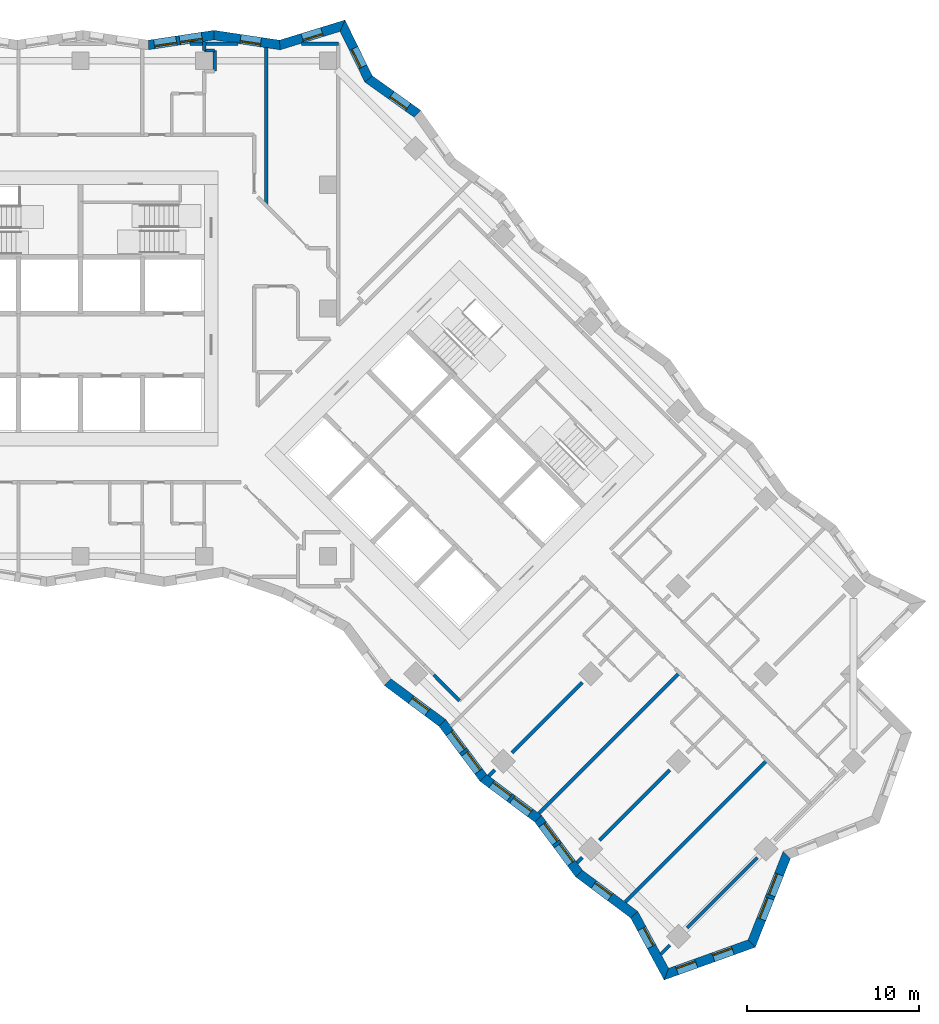
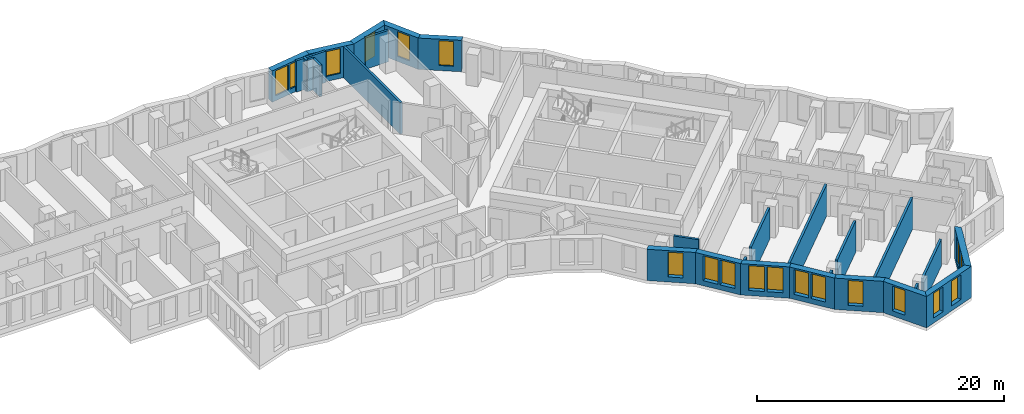
# One storey, part 8 of 13: 28 walls, 19 windows, 19 openings.
"""IFC4 building model written with IfcOpenShell, lengths in metres."""

from ifc_helpers import new_model, si_unit, direction, frame, frame_2d, origin, place, context, subcontext, project, spatial, polyline, rectangle, outline, extrude, material, layer, layer_set, type_object, element, fill, save


model = new_model("IFC4")

# Units and contexts
model_context = context("Model", 3, precision=1e-05, world=origin(), true_north=direction((0.0, 1.0)))
body_context = subcontext(model_context, "Body", "Model", "MODEL_VIEW")
ifc_project = project(units=[si_unit("LENGTHUNIT", "METRE"), si_unit("AREAUNIT", "SQUARE_METRE"), si_unit("VOLUMEUNIT", "CUBIC_METRE"), si_unit("PLANEANGLEUNIT", "RADIAN"), si_unit("MASSUNIT", "GRAM", prefix="KILO")], contexts=[model_context])

# Site, building, storey
site_placement = place(None, origin())
site = spatial("IfcSite", under=ifc_project, at=site_placement, CompositionType="ELEMENT")
building_placement = place(site_placement, origin())
building = spatial("IfcBuilding", under=site, at=building_placement, Name="Windrow Commons", CompositionType="ELEMENT")
storey_placement = place(building_placement, frame((0.0, 0.0, 111.8)))
storey = spatial("IfcBuildingStorey", under=building, at=storey_placement, Name="L30", CompositionType="ELEMENT", Elevation=111.8)

# Wall, openings, windows
ifc_material_1 = material(Name="Brick masonry, red clay brick", Category="masonry")
ifc_layer_1 = layer(ifc_material_1, 0.55)
ifc_layer_set_1 = layer_set([ifc_layer_1], Name="Brick facade wall 550")
wall_type_1 = type_object("IfcWallType", Name="Brick facade wall 550", PredefinedType="SOLIDWALL", material=ifc_layer_set_1)
wall_1_placement = place(storey_placement, frame((98.8654, 18.9013, 0.0), z_axis=(0.0, 0.0, 1.0), x_axis=(0.9410672608, 0.3382194711, 0.0)))
wall_1 = element("IfcWall", 1, at=wall_1_placement, inside=storey, type_object=wall_type_1, Name="Brick facade wall L30 1", PredefinedType="SOLIDWALL", context=body_context, shape_type="SweptSolid", body=[
    extrude(outline(polyline([(-0.2363, -0.275), (5.3938, -0.275), (5.1455, 0.275), (0.2363, 0.275), (-0.2363, -0.275)])), origin(), (0.0, 0.0, 1.0), 3.1),
])
opening_1_placement = place(wall_1_placement, frame((0.6461, 0.0, 0.5)))
opening_1 = element("IfcOpeningElement", 2, at=opening_1_placement, cuts=wall_1, Name="Opening W7D", PredefinedType="OPENING", context=body_context, shape_type="SweptSolid", body=[
    extrude(rectangle(XDim=1.2, YDim=2.45, at=frame_2d((0.6, 1.225))), frame((0.0, 0.285, 0.0), z_axis=(0.0, -1.0, 0.0), x_axis=(1.0, 0.0, 0.0)), (0.0, 0.0, 1.0), 0.57),
])
opening_2_placement = place(wall_1_placement, frame((2.9007, 0.0, 0.5)))
opening_2 = element("IfcOpeningElement", 3, at=opening_2_placement, cuts=wall_1, Name="Opening W7D", PredefinedType="OPENING", context=body_context, shape_type="SweptSolid", body=[
    extrude(rectangle(XDim=1.2, YDim=2.45, at=frame_2d((0.6, 1.225))), frame((0.0, 0.285, 0.0), z_axis=(0.0, -1.0, 0.0), x_axis=(1.0, 0.0, 0.0)), (0.0, 0.0, 1.0), 0.57),
])
ifc_material_2 = material(Name="Clear float glass in anodised aluminium frame", Category="aluminium")
window_type_1 = type_object("IfcWindowType", Name="Window W7 notch 1200x2450", PartitioningType="SINGLE_PANEL", PredefinedType="WINDOW", material=ifc_material_2)
window_1_placement = place(opening_1_placement, origin())
window_1 = element("IfcWindow", 4, at=window_1_placement, inside=storey, type_object=window_type_1, Name="Window L30 1.1", OverallHeight=2.45, OverallWidth=1.2, PartitioningType="SINGLE_PANEL", PredefinedType="WINDOW", context=body_context, shape_type="SweptSolid", body=[
    extrude(rectangle(XDim=1.2, YDim=2.45, at=frame_2d((0.6, 1.225))), frame((0.0, 0.155, 0.0), z_axis=(0.0, -1.0, 0.0), x_axis=(1.0, 0.0, 0.0)), (0.0, 0.0, 1.0), 0.06),
])
fill(opening_1, window_1)
window_2_placement = place(opening_2_placement, origin())
window_2 = element("IfcWindow", 5, at=window_2_placement, inside=storey, type_object=window_type_1, Name="Window L30 1.2", OverallHeight=2.45, OverallWidth=1.2, PartitioningType="SINGLE_PANEL", PredefinedType="WINDOW", context=body_context, shape_type="SweptSolid", body=[
    extrude(rectangle(XDim=1.2, YDim=2.45, at=frame_2d((0.6, 1.225))), frame((0.0, 0.155, 0.0), z_axis=(0.0, -1.0, 0.0), x_axis=(1.0, 0.0, 0.0)), (0.0, 0.0, 1.0), 0.06),
])
fill(opening_2, window_2)

wall_2_placement = place(storey_placement, frame((103.8245, 20.6836, 0.0), z_axis=(0.0, 0.0, 1.0), x_axis=(0.3687200705, 0.929540483, 0.0)))
wall_2 = element("IfcWall", 6, at=wall_2_placement, inside=storey, type_object=wall_type_1, Name="Brick facade wall L30 2", PredefinedType="SOLIDWALL", context=body_context, shape_type="SweptSolid", body=[
    extrude(outline(polyline([(-0.1242, -0.275), (5.4237, -0.275), (5.6613, 0.275), (0.1242, 0.275), (-0.1242, -0.275)])), origin(), (0.0, 0.0, 1.0), 3.1),
])
opening_3_placement = place(wall_2_placement, frame((1.5223, 0.0, 0.5)))
opening_3 = element("IfcOpeningElement", 7, at=opening_3_placement, cuts=wall_2, Name="Opening W1P", PredefinedType="OPENING", context=body_context, shape_type="SweptSolid", body=[
    extrude(rectangle(XDim=1.3, YDim=2.45, at=frame_2d((0.65, 1.225))), frame((0.0, 0.285, 0.0), z_axis=(0.0, -1.0, 0.0), x_axis=(1.0, 0.0, 0.0)), (0.0, 0.0, 1.0), 0.57),
])
opening_4_placement = place(wall_2_placement, frame((3.0223, 0.0, 0.5)))
opening_4 = element("IfcOpeningElement", 8, at=opening_4_placement, cuts=wall_2, Name="Opening W1P", PredefinedType="OPENING", context=body_context, shape_type="SweptSolid", body=[
    extrude(rectangle(XDim=1.3, YDim=2.45, at=frame_2d((0.65, 1.225))), frame((0.0, 0.285, 0.0), z_axis=(0.0, -1.0, 0.0), x_axis=(1.0, 0.0, 0.0)), (0.0, 0.0, 1.0), 0.57),
])
ifc_material_3 = material(Name="Clear float glass in anodised aluminium frame", Category="aluminium")
window_type_2 = type_object("IfcWindowType", Name="Window W1P pair 1300x2450", PartitioningType="SINGLE_PANEL", PredefinedType="WINDOW", material=ifc_material_3)
window_3_placement = place(opening_3_placement, origin())
window_3 = element("IfcWindow", 9, at=window_3_placement, inside=storey, type_object=window_type_2, Name="Window L30 2.1A", OverallHeight=2.45, OverallWidth=1.3, PartitioningType="SINGLE_PANEL", PredefinedType="WINDOW", context=body_context, shape_type="SweptSolid", body=[
    extrude(rectangle(XDim=1.3, YDim=2.45, at=frame_2d((0.65, 1.225))), frame((0.0, 0.155, 0.0), z_axis=(0.0, -1.0, 0.0), x_axis=(1.0, 0.0, 0.0)), (0.0, 0.0, 1.0), 0.06),
])
fill(opening_3, window_3)
window_4_placement = place(opening_4_placement, origin())
window_4 = element("IfcWindow", 10, at=window_4_placement, inside=storey, type_object=window_type_2, Name="Window L30 2.1B", OverallHeight=2.45, OverallWidth=1.3, PartitioningType="SINGLE_PANEL", PredefinedType="WINDOW", context=body_context, shape_type="SweptSolid", body=[
    extrude(rectangle(XDim=1.3, YDim=2.45, at=frame_2d((0.65, 1.225))), frame((0.0, 0.155, 0.0), z_axis=(0.0, -1.0, 0.0), x_axis=(1.0, 0.0, 0.0)), (0.0, 0.0, 1.0), 0.06),
])
fill(opening_4, window_4)

# Wall, opening, window
wall_3_placement = place(storey_placement, frame((84.3879, 68.9238, 0.0), z_axis=(0.0, 0.0, 1.0), x_axis=(-0.8142489759, 0.5805158096, 0.0)))
wall_3 = element("IfcWall", 11, at=wall_3_placement, inside=storey, type_object=wall_type_1, Name="Brick facade wall L30 19", PredefinedType="SOLIDWALL", context=body_context, shape_type="SweptSolid", body=[
    extrude(outline(polyline([(-0.0461, -0.275), (3.4145, -0.275), (3.5541, 0.275), (0.0461, 0.275), (-0.0461, -0.275)])), origin(), (0.0, 0.0, 1.0), 3.1),
])
opening_5_placement = place(wall_3_placement, frame((0.6605, 0.0, 0.5)))
opening_5 = element("IfcOpeningElement", 12, at=opening_5_placement, cuts=wall_3, Name="Opening W7D", PredefinedType="OPENING", context=body_context, shape_type="SweptSolid", body=[
    extrude(rectangle(XDim=1.2, YDim=2.45, at=frame_2d((0.6, 1.225))), frame((0.0, 0.285, 0.0), z_axis=(0.0, -1.0, 0.0), x_axis=(1.0, 0.0, 0.0)), (0.0, 0.0, 1.0), 0.57),
])
window_5_placement = place(opening_5_placement, origin())
window_5 = element("IfcWindow", 13, at=window_5_placement, inside=storey, type_object=window_type_1, Name="Window L30 19.1", OverallHeight=2.45, OverallWidth=1.2, PartitioningType="SINGLE_PANEL", PredefinedType="WINDOW", context=body_context, shape_type="SweptSolid", body=[
    extrude(rectangle(XDim=1.2, YDim=2.45, at=frame_2d((0.6, 1.225))), frame((0.0, 0.155, 0.0), z_axis=(0.0, -1.0, 0.0), x_axis=(1.0, 0.0, 0.0)), (0.0, 0.0, 1.0), 0.06),
])
fill(opening_5, window_5)

wall_4_placement = place(storey_placement, frame((81.5508, 70.9465, 0.0), z_axis=(0.0, 0.0, 1.0), x_axis=(-0.4391450206, 0.8984161902, 0.0)))
wall_4 = element("IfcWall", 14, at=wall_4_placement, inside=storey, type_object=wall_type_1, Name="Brick facade wall L30 20", PredefinedType="SOLIDWALL", context=body_context, shape_type="SweptSolid", body=[
    extrude(outline(polyline([(0.0698, -0.275), (3.6784, -0.275), (3.2082, 0.275), (-0.0698, 0.275), (0.0698, -0.275)])), origin(), (0.0, 0.0, 1.0), 3.1),
])
opening_6_placement = place(wall_4_placement, frame((0.7726, 0.0, 0.5)))
opening_6 = element("IfcOpeningElement", 15, at=opening_6_placement, cuts=wall_4, Name="Opening W7D", PredefinedType="OPENING", context=body_context, shape_type="SweptSolid", body=[
    extrude(rectangle(XDim=1.2, YDim=2.45, at=frame_2d((0.6, 1.225))), frame((0.0, 0.285, 0.0), z_axis=(0.0, -1.0, 0.0), x_axis=(1.0, 0.0, 0.0)), (0.0, 0.0, 1.0), 0.57),
])
window_6_placement = place(opening_6_placement, origin())
window_6 = element("IfcWindow", 16, at=window_6_placement, inside=storey, type_object=window_type_1, Name="Window L30 20.1", OverallHeight=2.45, OverallWidth=1.2, PartitioningType="SINGLE_PANEL", PredefinedType="WINDOW", context=body_context, shape_type="SweptSolid", body=[
    extrude(rectangle(XDim=1.2, YDim=2.45, at=frame_2d((0.6, 1.225))), frame((0.0, 0.155, 0.0), z_axis=(0.0, -1.0, 0.0), x_axis=(1.0, 0.0, 0.0)), (0.0, 0.0, 1.0), 0.06),
])
fill(opening_6, window_6)

wall_5_placement = place(storey_placement, frame((80.0387, 74.04, 0.0), z_axis=(0.0, 0.0, 1.0), x_axis=(-0.9557971513, -0.294026879, 0.0)))
wall_5 = element("IfcWall", 17, at=wall_5_placement, inside=storey, type_object=wall_type_1, Name="Brick facade wall L30 21", PredefinedType="SOLIDWALL", context=body_context, shape_type="SweptSolid", body=[
    extrude(outline(polyline([(-0.2351, -0.275), (3.7508, -0.275), (3.8759, 0.275), (0.2351, 0.275), (-0.2351, -0.275)])), origin(), (0.0, 0.0, 1.0), 3.1),
])
opening_7_placement = place(wall_5_placement, frame((1.2454, 0.0, 0.5)))
opening_7 = element("IfcOpeningElement", 18, at=opening_7_placement, cuts=wall_5, Name="Opening W7D", PredefinedType="OPENING", context=body_context, shape_type="SweptSolid", body=[
    extrude(rectangle(XDim=1.2, YDim=2.45, at=frame_2d((0.6, 1.225))), frame((0.0, 0.285, 0.0), z_axis=(0.0, -1.0, 0.0), x_axis=(1.0, 0.0, 0.0)), (0.0, 0.0, 1.0), 0.57),
])
window_7_placement = place(opening_7_placement, origin())
window_7 = element("IfcWindow", 19, at=window_7_placement, inside=storey, type_object=window_type_1, Name="Window L30 21.1", OverallHeight=2.45, OverallWidth=1.2, PartitioningType="SINGLE_PANEL", PredefinedType="WINDOW", context=body_context, shape_type="SweptSolid", body=[
    extrude(rectangle(XDim=1.2, YDim=2.45, at=frame_2d((0.6, 1.225))), frame((0.0, 0.155, 0.0), z_axis=(0.0, -1.0, 0.0), x_axis=(1.0, 0.0, 0.0)), (0.0, 0.0, 1.0), 0.06),
])
fill(opening_7, window_7)

wall_6_placement = place(storey_placement, frame((76.394, 72.9188, 0.0), z_axis=(0.0, 0.0, 1.0), x_axis=(-0.9889181677, 0.1484616368, 0.0)))
wall_6 = element("IfcWall", 20, at=wall_6_placement, inside=storey, type_object=wall_type_1, Name="Brick facade wall L30 22", PredefinedType="SOLIDWALL", context=body_context, shape_type="SweptSolid", body=[
    extrude(outline(polyline([(0.0626, -0.275), (3.9149, -0.275), (3.8324, 0.275), (-0.0626, 0.275), (0.0626, -0.275)])), origin(), (0.0, 0.0, 1.0), 3.1),
])
opening_8_placement = place(wall_6_placement, frame((1.1176, 0.0, 0.5)))
opening_8 = element("IfcOpeningElement", 21, at=opening_8_placement, cuts=wall_6, Name="Opening W7D", PredefinedType="OPENING", context=body_context, shape_type="SweptSolid", body=[
    extrude(rectangle(XDim=1.2, YDim=2.45, at=frame_2d((0.6, 1.225))), frame((0.0, 0.285, 0.0), z_axis=(0.0, -1.0, 0.0), x_axis=(1.0, 0.0, 0.0)), (0.0, 0.0, 1.0), 0.57),
])
window_8_placement = place(opening_8_placement, origin())
window_8 = element("IfcWindow", 22, at=window_8_placement, inside=storey, type_object=window_type_1, Name="Window L30 22.1", OverallHeight=2.45, OverallWidth=1.2, PartitioningType="SINGLE_PANEL", PredefinedType="WINDOW", context=body_context, shape_type="SweptSolid", body=[
    extrude(rectangle(XDim=1.2, YDim=2.45, at=frame_2d((0.6, 1.225))), frame((0.0, 0.155, 0.0), z_axis=(0.0, -1.0, 0.0), x_axis=(1.0, 0.0, 0.0)), (0.0, 0.0, 1.0), 0.06),
])
fill(opening_8, window_8)

# Wall, openings, windows
wall_7_placement = place(storey_placement, frame((72.5632, 73.4939, 0.0), z_axis=(0.0, 0.0, 1.0), x_axis=(-0.9889150173, -0.1484826202, 0.0)))
wall_7 = element("IfcWall", 23, at=wall_7_placement, inside=storey, type_object=wall_type_1, Name="Brick facade wall L30 23", PredefinedType="SOLIDWALL", context=body_context, shape_type="SweptSolid", body=[
    extrude(outline(polyline([(-0.0413, -0.275), (3.8111, -0.275), (3.8937, 0.275), (0.0413, 0.275), (-0.0413, -0.275)])), origin(), (0.0, 0.0, 1.0), 3.1),
])
opening_9_placement = place(wall_7_placement, frame((0.711, 0.0, 0.5)))
opening_9 = element("IfcOpeningElement", 24, at=opening_9_placement, cuts=wall_7, Name="Opening W1P", PredefinedType="OPENING", context=body_context, shape_type="SweptSolid", body=[
    extrude(rectangle(XDim=1.3, YDim=2.45, at=frame_2d((0.65, 1.225))), frame((0.0, 0.285, 0.0), z_axis=(0.0, -1.0, 0.0), x_axis=(1.0, 0.0, 0.0)), (0.0, 0.0, 1.0), 0.57),
])
opening_10_placement = place(wall_7_placement, frame((2.211, 0.0, 0.5)))
opening_10 = element("IfcOpeningElement", 25, at=opening_10_placement, cuts=wall_7, Name="Opening W1P", PredefinedType="OPENING", context=body_context, shape_type="SweptSolid", body=[
    extrude(rectangle(XDim=1.3, YDim=2.45, at=frame_2d((0.65, 1.225))), frame((0.0, 0.285, 0.0), z_axis=(0.0, -1.0, 0.0), x_axis=(1.0, 0.0, 0.0)), (0.0, 0.0, 1.0), 0.57),
])
window_9_placement = place(opening_9_placement, origin())
window_9 = element("IfcWindow", 26, at=window_9_placement, inside=storey, type_object=window_type_2, Name="Window L30 23.1A", OverallHeight=2.45, OverallWidth=1.3, PartitioningType="SINGLE_PANEL", PredefinedType="WINDOW", context=body_context, shape_type="SweptSolid", body=[
    extrude(rectangle(XDim=1.3, YDim=2.45, at=frame_2d((0.65, 1.225))), frame((0.0, 0.145, 0.0), z_axis=(0.0, -1.0, 0.0), x_axis=(1.0, 0.0, 0.0)), (0.0, 0.0, 1.0), 0.06),
])
fill(opening_9, window_9)
window_10_placement = place(opening_10_placement, origin())
window_10 = element("IfcWindow", 27, at=window_10_placement, inside=storey, type_object=window_type_2, Name="Window L30 23.1B", OverallHeight=2.45, OverallWidth=1.3, PartitioningType="SINGLE_PANEL", PredefinedType="WINDOW", context=body_context, shape_type="SweptSolid", body=[
    extrude(rectangle(XDim=1.3, YDim=2.45, at=frame_2d((0.65, 1.225))), frame((0.0, 0.155, 0.0), z_axis=(0.0, -1.0, 0.0), x_axis=(1.0, 0.0, 0.0)), (0.0, 0.0, 1.0), 0.06),
])
fill(opening_10, window_10)

# Wall, opening, window
wall_8_placement = place(storey_placement, frame((82.6576, 35.8824, 0.0), z_axis=(0.0, 0.0, 1.0), x_axis=(0.8014458841, -0.5980672997, 0.0)))
wall_8 = element("IfcWall", 28, at=wall_8_placement, inside=storey, type_object=wall_type_1, Name="Brick facade wall L30 54", PredefinedType="SOLIDWALL", context=body_context, shape_type="SweptSolid", body=[
    extrude(outline(polyline([(-0.04, -0.275), (3.9374, -0.275), (4.0173, 0.275), (0.04, 0.275), (-0.04, -0.275)])), origin(), (0.0, 0.0, 1.0), 3.1),
])
opening_11_placement = place(wall_8_placement, frame((1.701, 0.0, 0.5)))
opening_11 = element("IfcOpeningElement", 29, at=opening_11_placement, cuts=wall_8, Name="Opening W7D", PredefinedType="OPENING", context=body_context, shape_type="SweptSolid", body=[
    extrude(rectangle(XDim=1.2, YDim=2.45, at=frame_2d((0.6, 1.225))), frame((0.0, 0.285, 0.0), z_axis=(0.0, -1.0, 0.0), x_axis=(1.0, 0.0, 0.0)), (0.0, 0.0, 1.0), 0.57),
])
window_11_placement = place(opening_11_placement, origin())
window_11 = element("IfcWindow", 30, at=window_11_placement, inside=storey, type_object=window_type_1, Name="Window L30 54.1", OverallHeight=2.45, OverallWidth=1.2, PartitioningType="SINGLE_PANEL", PredefinedType="WINDOW", context=body_context, shape_type="SweptSolid", body=[
    extrude(rectangle(XDim=1.2, YDim=2.45, at=frame_2d((0.6, 1.225))), frame((0.0, 0.155, 0.0), z_axis=(0.0, -1.0, 0.0), x_axis=(1.0, 0.0, 0.0)), (0.0, 0.0, 1.0), 0.06),
])
fill(opening_11, window_11)

# Wall, openings, windows
wall_9_placement = place(storey_placement, frame((85.8452, 33.5037, 0.0), z_axis=(0.0, 0.0, 1.0), x_axis=(0.5980713977, -0.801442826, 0.0)))
wall_9 = element("IfcWall", 31, at=wall_9_placement, inside=storey, type_object=wall_type_1, Name="Brick facade wall L30 55", PredefinedType="SOLIDWALL", context=body_context, shape_type="SweptSolid", body=[
    extrude(outline(polyline([(0.04, -0.275), (4.0173, -0.275), (3.9374, 0.275), (-0.04, 0.275), (0.04, -0.275)])), origin(), (0.0, 0.0, 1.0), 3.1),
])
opening_12_placement = place(wall_9_placement, frame((0.7113, 0.0, 0.5)))
opening_12 = element("IfcOpeningElement", 32, at=opening_12_placement, cuts=wall_9, Name="Opening W1P", PredefinedType="OPENING", context=body_context, shape_type="SweptSolid", body=[
    extrude(rectangle(XDim=1.3, YDim=2.45, at=frame_2d((0.65, 1.225))), frame((0.0, 0.285, 0.0), z_axis=(0.0, -1.0, 0.0), x_axis=(1.0, 0.0, 0.0)), (0.0, 0.0, 1.0), 0.57),
])
opening_13_placement = place(wall_9_placement, frame((2.2113, 0.0, 0.5)))
opening_13 = element("IfcOpeningElement", 33, at=opening_13_placement, cuts=wall_9, Name="Opening W1P", PredefinedType="OPENING", context=body_context, shape_type="SweptSolid", body=[
    extrude(rectangle(XDim=1.3, YDim=2.45, at=frame_2d((0.65, 1.225))), frame((0.0, 0.285, 0.0), z_axis=(0.0, -1.0, 0.0), x_axis=(1.0, 0.0, 0.0)), (0.0, 0.0, 1.0), 0.57),
])
window_12_placement = place(opening_12_placement, origin())
window_12 = element("IfcWindow", 34, at=window_12_placement, inside=storey, type_object=window_type_2, Name="Window L30 55.1A", OverallHeight=2.45, OverallWidth=1.3, PartitioningType="SINGLE_PANEL", PredefinedType="WINDOW", context=body_context, shape_type="SweptSolid", body=[
    extrude(rectangle(XDim=1.3, YDim=2.45, at=frame_2d((0.65, 1.225))), frame((0.0, 0.155, 0.0), z_axis=(0.0, -1.0, 0.0), x_axis=(1.0, 0.0, 0.0)), (0.0, 0.0, 1.0), 0.06),
])
fill(opening_12, window_12)
window_13_placement = place(opening_13_placement, origin())
window_13 = element("IfcWindow", 35, at=window_13_placement, inside=storey, type_object=window_type_2, Name="Window L30 55.1B", OverallHeight=2.45, OverallWidth=1.3, PartitioningType="SINGLE_PANEL", PredefinedType="WINDOW", context=body_context, shape_type="SweptSolid", body=[
    extrude(rectangle(XDim=1.3, YDim=2.45, at=frame_2d((0.65, 1.225))), frame((0.0, 0.155, 0.0), z_axis=(0.0, -1.0, 0.0), x_axis=(1.0, 0.0, 0.0)), (0.0, 0.0, 1.0), 0.06),
])
fill(opening_13, window_13)

wall_10_placement = place(storey_placement, frame((88.224, 30.316, 0.0), z_axis=(0.0, 0.0, 1.0), x_axis=(0.8014458841, -0.5980672997, 0.0)))
wall_10 = element("IfcWall", 36, at=wall_10_placement, inside=storey, type_object=wall_type_1, Name="Brick facade wall L30 56", PredefinedType="SOLIDWALL", context=body_context, shape_type="SweptSolid", body=[
    extrude(outline(polyline([(-0.04, -0.275), (3.9374, -0.275), (4.0173, 0.275), (0.04, 0.275), (-0.04, -0.275)])), origin(), (0.0, 0.0, 1.0), 3.1),
])
opening_14_placement = place(wall_10_placement, frame((0.6087, 0.0, 0.5)))
opening_14 = element("IfcOpeningElement", 37, at=opening_14_placement, cuts=wall_10, Name="Opening W1P", PredefinedType="OPENING", context=body_context, shape_type="SweptSolid", body=[
    extrude(rectangle(XDim=1.3, YDim=2.45, at=frame_2d((0.65, 1.225))), frame((0.0, 0.285, 0.0), z_axis=(0.0, -1.0, 0.0), x_axis=(1.0, 0.0, 0.0)), (0.0, 0.0, 1.0), 0.57),
])
opening_15_placement = place(wall_10_placement, frame((2.1087, 0.0, 0.5)))
opening_15 = element("IfcOpeningElement", 38, at=opening_15_placement, cuts=wall_10, Name="Opening W1P", PredefinedType="OPENING", context=body_context, shape_type="SweptSolid", body=[
    extrude(rectangle(XDim=1.3, YDim=2.45, at=frame_2d((0.65, 1.225))), frame((0.0, 0.285, 0.0), z_axis=(0.0, -1.0, 0.0), x_axis=(1.0, 0.0, 0.0)), (0.0, 0.0, 1.0), 0.57),
])
window_14_placement = place(opening_14_placement, origin())
window_14 = element("IfcWindow", 39, at=window_14_placement, inside=storey, type_object=window_type_2, Name="Window L30 56.1A", OverallHeight=2.45, OverallWidth=1.3, PartitioningType="SINGLE_PANEL", PredefinedType="WINDOW", context=body_context, shape_type="SweptSolid", body=[
    extrude(rectangle(XDim=1.3, YDim=2.45, at=frame_2d((0.65, 1.225))), frame((0.0, 0.155, 0.0), z_axis=(0.0, -1.0, 0.0), x_axis=(1.0, 0.0, 0.0)), (0.0, 0.0, 1.0), 0.06),
])
fill(opening_14, window_14)
window_15_placement = place(opening_15_placement, origin())
window_15 = element("IfcWindow", 40, at=window_15_placement, inside=storey, type_object=window_type_2, Name="Window L30 56.1B", OverallHeight=2.45, OverallWidth=1.3, PartitioningType="SINGLE_PANEL", PredefinedType="WINDOW", context=body_context, shape_type="SweptSolid", body=[
    extrude(rectangle(XDim=1.3, YDim=2.45, at=frame_2d((0.65, 1.225))), frame((0.0, 0.155, 0.0), z_axis=(0.0, -1.0, 0.0), x_axis=(1.0, 0.0, 0.0)), (0.0, 0.0, 1.0), 0.06),
])
fill(opening_15, window_15)

wall_11_placement = place(storey_placement, frame((91.4116, 27.9373, 0.0), z_axis=(0.0, 0.0, 1.0), x_axis=(0.5980672997, -0.8014458841, 0.0)))
wall_11 = element("IfcWall", 41, at=wall_11_placement, inside=storey, type_object=wall_type_1, Name="Brick facade wall L30 57", PredefinedType="SOLIDWALL", context=body_context, shape_type="SweptSolid", body=[
    extrude(outline(polyline([(0.04, -0.275), (4.0173, -0.275), (3.9374, 0.275), (-0.04, 0.275), (0.04, -0.275)])), origin(), (0.0, 0.0, 1.0), 3.1),
])
opening_16_placement = place(wall_11_placement, frame((0.4219, 0.0, 0.5)))
opening_16 = element("IfcOpeningElement", 42, at=opening_16_placement, cuts=wall_11, Name="Opening W1P", PredefinedType="OPENING", context=body_context, shape_type="SweptSolid", body=[
    extrude(rectangle(XDim=1.3, YDim=2.45, at=frame_2d((0.65, 1.225))), frame((0.0, 0.285, 0.0), z_axis=(0.0, -1.0, 0.0), x_axis=(1.0, 0.0, 0.0)), (0.0, 0.0, 1.0), 0.57),
])
opening_17_placement = place(wall_11_placement, frame((1.9219, 0.0, 0.5)))
opening_17 = element("IfcOpeningElement", 43, at=opening_17_placement, cuts=wall_11, Name="Opening W1P", PredefinedType="OPENING", context=body_context, shape_type="SweptSolid", body=[
    extrude(rectangle(XDim=1.3, YDim=2.45, at=frame_2d((0.65, 1.225))), frame((0.0, 0.285, 0.0), z_axis=(0.0, -1.0, 0.0), x_axis=(1.0, 0.0, 0.0)), (0.0, 0.0, 1.0), 0.57),
])
window_16_placement = place(opening_16_placement, origin())
window_16 = element("IfcWindow", 44, at=window_16_placement, inside=storey, type_object=window_type_2, Name="Window L30 57.1A", OverallHeight=2.45, OverallWidth=1.3, PartitioningType="SINGLE_PANEL", PredefinedType="WINDOW", context=body_context, shape_type="SweptSolid", body=[
    extrude(rectangle(XDim=1.3, YDim=2.45, at=frame_2d((0.65, 1.225))), frame((0.0, 0.155, 0.0), z_axis=(0.0, -1.0, 0.0), x_axis=(1.0, 0.0, 0.0)), (0.0, 0.0, 1.0), 0.06),
])
fill(opening_16, window_16)
window_17_placement = place(opening_17_placement, origin())
window_17 = element("IfcWindow", 45, at=window_17_placement, inside=storey, type_object=window_type_2, Name="Window L30 57.1B", OverallHeight=2.45, OverallWidth=1.3, PartitioningType="SINGLE_PANEL", PredefinedType="WINDOW", context=body_context, shape_type="SweptSolid", body=[
    extrude(rectangle(XDim=1.3, YDim=2.45, at=frame_2d((0.65, 1.225))), frame((0.0, 0.155, 0.0), z_axis=(0.0, -1.0, 0.0), x_axis=(1.0, 0.0, 0.0)), (0.0, 0.0, 1.0), 0.06),
])
fill(opening_17, window_17)

# Wall, opening, window
wall_12_placement = place(storey_placement, frame((93.7903, 24.7497, 0.0), z_axis=(0.0, 0.0, 1.0), x_axis=(0.8014443864, -0.5980693066, 0.0)))
wall_12 = element("IfcWall", 46, at=wall_12_placement, inside=storey, type_object=wall_type_1, Name="Brick facade wall L30 58", PredefinedType="SOLIDWALL", context=body_context, shape_type="SweptSolid", body=[
    extrude(outline(polyline([(-0.04, -0.275), (3.9374, -0.275), (4.0586, 0.275), (0.04, 0.275), (-0.04, -0.275)])), origin(), (0.0, 0.0, 1.0), 3.1),
])
opening_18_placement = place(wall_12_placement, frame((1.0721, 0.0, 0.5)))
opening_18 = element("IfcOpeningElement", 47, at=opening_18_placement, cuts=wall_12, Name="Opening W7D", PredefinedType="OPENING", context=body_context, shape_type="SweptSolid", body=[
    extrude(rectangle(XDim=1.2, YDim=2.45, at=frame_2d((0.6, 1.225))), frame((0.0, 0.285, 0.0), z_axis=(0.0, -1.0, 0.0), x_axis=(1.0, 0.0, 0.0)), (0.0, 0.0, 1.0), 0.57),
])
window_18_placement = place(opening_18_placement, origin())
window_18 = element("IfcWindow", 48, at=window_18_placement, inside=storey, type_object=window_type_1, Name="Window L30 58.1", OverallHeight=2.45, OverallWidth=1.2, PartitioningType="SINGLE_PANEL", PredefinedType="WINDOW", context=body_context, shape_type="SweptSolid", body=[
    extrude(rectangle(XDim=1.2, YDim=2.45, at=frame_2d((0.6, 1.225))), frame((0.0, 0.155, 0.0), z_axis=(0.0, -1.0, 0.0), x_axis=(1.0, 0.0, 0.0)), (0.0, 0.0, 1.0), 0.06),
])
fill(opening_18, window_18)

wall_13_placement = place(storey_placement, frame((96.9945, 22.3586, 0.0), z_axis=(0.0, 0.0, 1.0), x_axis=(0.4759282688, -0.8794841005, 0.0)))
wall_13 = element("IfcWall", 49, at=wall_13_placement, inside=storey, type_object=wall_type_1, Name="Brick facade wall L30 59", PredefinedType="SOLIDWALL", context=body_context, shape_type="SweptSolid", body=[
    extrude(outline(polyline([(0.0606, -0.275), (4.1674, -0.275), (3.6947, 0.275), (-0.0606, 0.275), (0.0606, -0.275)])), origin(), (0.0, 0.0, 1.0), 3.1),
])
opening_19_placement = place(wall_13_placement, frame((0.9167, 0.0, 0.5)))
opening_19 = element("IfcOpeningElement", 50, at=opening_19_placement, cuts=wall_13, Name="Opening W7D", PredefinedType="OPENING", context=body_context, shape_type="SweptSolid", body=[
    extrude(rectangle(XDim=1.2, YDim=2.45, at=frame_2d((0.6, 1.225))), frame((0.0, 0.285, 0.0), z_axis=(0.0, -1.0, 0.0), x_axis=(1.0, 0.0, 0.0)), (0.0, 0.0, 1.0), 0.57),
])
window_19_placement = place(opening_19_placement, origin())
window_19 = element("IfcWindow", 51, at=window_19_placement, inside=storey, type_object=window_type_1, Name="Window L30 59.1", OverallHeight=2.45, OverallWidth=1.2, PartitioningType="SINGLE_PANEL", PredefinedType="WINDOW", context=body_context, shape_type="SweptSolid", body=[
    extrude(rectangle(XDim=1.2, YDim=2.45, at=frame_2d((0.6, 1.225))), frame((0.0, 0.155, 0.0), z_axis=(0.0, -1.0, 0.0), x_axis=(1.0, 0.0, 0.0)), (0.0, 0.0, 1.0), 0.06),
])
fill(opening_19, window_19)

# Walls
ifc_material_4 = material(Name="Blockwork partition", Category="masonry")
ifc_layer_2 = layer(ifc_material_4, 0.2)
ifc_layer_set_2 = layer_set([ifc_layer_2], Name="IW-CORRIDOR-200")
wall_type_2 = type_object("IfcWallType", Name="IW-CORRIDOR-200", PredefinedType="PARTITIONING", material=ifc_layer_set_2)
wall_14_placement = place(storey_placement, frame((85.353, 36.293, 0.0), z_axis=(0.0, 0.0, 1.0), x_axis=(0.7066304548, -0.7075827869, 0.0)))
element("IfcWall", 52, at=wall_14_placement, inside=storey, type_object=wall_type_2, Name="W-L30-W132", PredefinedType="PARTITIONING", context=body_context, shape_type="SweptSolid", body=[
    extrude(rectangle(XDim=2.1001, YDim=0.2, at=frame_2d((1.05, 0.0))), origin(), (0.0, 0.0, 1.0), 3.1),
])
ifc_material_5 = material(Name="Blockwork partition", Category="masonry")
ifc_layer_3 = layer(ifc_material_5, 0.2)
ifc_layer_set_3 = layer_set([ifc_layer_3], Name="IW-PARTY-200")
wall_type_3 = type_object("IfcWallType", Name="IW-PARTY-200", PredefinedType="PARTITIONING", material=ifc_layer_set_3)
wall_15_placement = place(storey_placement, frame((96.4739, 23.0903, 0.0), z_axis=(0.0, 0.0, 1.0), x_axis=(0.7071067812, 0.7071067812, 0.0)))
element("IfcWall", 53, at=wall_15_placement, inside=storey, type_object=wall_type_3, Name="W-L30-W007", PredefinedType="PARTITIONING", context=body_context, shape_type="SweptSolid", body=[
    extrude(rectangle(XDim=11.6699, YDim=0.2, at=frame_2d((5.835, 0.0))), origin(), (0.0, 0.0, 1.0), 3.1),
])
wall_16_placement = place(storey_placement, frame((91.4521, 28.2503, 0.0), z_axis=(0.0, 0.0, 1.0), x_axis=(0.7071931897, 0.7070203621, 0.0)))
element("IfcWall", 54, at=wall_16_placement, inside=storey, type_object=wall_type_3, Name="W-L30-W010", PredefinedType="PARTITIONING", context=body_context, shape_type="SweptSolid", body=[
    extrude(rectangle(XDim=11.5722, YDim=0.2, at=frame_2d((5.7861, 0.0))), origin(), (0.0, 0.0, 1.0), 3.1),
])
wall_17_placement = place(storey_placement, frame((75.6, 63.58, 0.0), z_axis=(0.0, 0.0, 1.0), x_axis=(0.0, 1.0, 0.0)))
element("IfcWall", 55, at=wall_17_placement, inside=storey, type_object=wall_type_3, Name="W-L30-W014", PredefinedType="PARTITIONING", context=body_context, shape_type="SweptSolid", body=[
    extrude(rectangle(XDim=9.1799, YDim=0.2, at=frame_2d((4.5899, 0.0))), origin(), (0.0, 0.0, 1.0), 3.1),
])
wall_18_placement = place(storey_placement, frame((89.881, 31.771, 0.0), z_axis=(0.0, 0.0, 1.0), x_axis=(0.7071067812, 0.7071067812, 0.0)))
element("IfcWall", 56, at=wall_18_placement, inside=storey, type_object=wall_type_3, Name="W-L30-W032", PredefinedType="PARTITIONING", context=body_context, shape_type="SweptSolid", body=[
    extrude(rectangle(XDim=5.787, YDim=0.2, at=frame_2d((2.8935, 0.0))), origin(), (0.0, 0.0, 1.0), 3.1),
])
wall_19_placement = place(storey_placement, frame((100.0634, 21.5886, 0.0), z_axis=(0.0, 0.0, 1.0), x_axis=(0.7071067812, 0.7071067812, 0.0)))
element("IfcWall", 57, at=wall_19_placement, inside=storey, type_object=wall_type_3, Name="W-L30-W034", PredefinedType="PARTITIONING", context=body_context, shape_type="SweptSolid", body=[
    extrude(rectangle(XDim=5.787, YDim=0.2, at=frame_2d((2.8935, 0.0))), origin(), (0.0, 0.0, 1.0), 2.6),
])
wall_20_placement = place(storey_placement, frame((94.9732, 26.6808, 0.0), z_axis=(0.0, 0.0, 1.0), x_axis=(0.7071067812, 0.7071067812, 0.0)))
element("IfcWall", 58, at=wall_20_placement, inside=storey, type_object=wall_type_3, Name="W-L30-W036", PredefinedType="PARTITIONING", context=body_context, shape_type="SweptSolid", body=[
    extrude(rectangle(XDim=5.7841, YDim=0.2, at=frame_2d((2.892, 0.0))), origin(), (0.0, 0.0, 1.0), 3.1),
])
wall_21_placement = place(storey_placement, frame((71.1757, 73.0, 0.0), z_axis=(0.0, 0.0, 1.0), x_axis=(1.0, 0.0, 0.0)))
element("IfcWall", 59, at=wall_21_placement, inside=storey, type_object=wall_type_3, Name="W-L30-W074", PredefinedType="PARTITIONING", context=body_context, shape_type="SweptSolid", body=[
    extrude(rectangle(XDim=2.7751, YDim=0.2, at=frame_2d((1.3876, 0.0))), origin(), (0.0, 0.0, 1.0), 3.1),
])
wall_22_placement = place(storey_placement, frame((77.6433, 73.0, 0.0), z_axis=(0.0, 0.0, 1.0), x_axis=(1.0, 0.0, 0.0)))
element("IfcWall", 60, at=wall_22_placement, inside=storey, type_object=wall_type_3, Name="W-L30-W131", PredefinedType="PARTITIONING", context=body_context, shape_type="SweptSolid", body=[
    extrude(rectangle(XDim=2.1567, YDim=0.2, at=frame_2d((1.0783, 0.0))), origin(), (0.0, 0.0, 1.0), 3.1),
])
wall_23_placement = place(storey_placement, frame((72.6, 71.396, 0.0), z_axis=(0.0, 0.0, 1.0), x_axis=(0.0, 1.0, 0.0)))
element("IfcWall", 61, at=wall_23_placement, inside=storey, type_object=wall_type_3, Name="W-L30-W165", PredefinedType="PARTITIONING", context=body_context, shape_type="SweptSolid", body=[
    extrude(rectangle(XDim=1.208, YDim=0.2, at=frame_2d((0.604, 0.0))), origin(), (0.0, 0.0, 1.0), 3.1),
])
wall_24_placement = place(storey_placement, frame((98.5453, 20.0706, 0.0), z_axis=(0.0, 0.0, 1.0), x_axis=(0.7071750249, 0.7070385309, 0.0)))
element("IfcWall", 62, at=wall_24_placement, inside=storey, type_object=wall_type_3, Name="W-L30-W181", PredefinedType="PARTITIONING", context=body_context, shape_type="SweptSolid", body=[
    extrude(rectangle(XDim=0.7326, YDim=0.2, at=frame_2d((0.3663, 0.0))), origin(), (0.0, 0.0, 1.0), 3.1),
])
wall_25_placement = place(storey_placement, frame((72.0, 72.6, 0.0), z_axis=(0.0, 0.0, 1.0), x_axis=(1.0, 0.0, 0.0)))
element("IfcWall", 63, at=wall_25_placement, inside=storey, type_object=wall_type_3, Name="W-L30-W188", PredefinedType="PARTITIONING", context=body_context, shape_type="SweptSolid", body=[
    extrude(rectangle(XDim=0.6, YDim=0.2, at=frame_2d((0.3, 0.0))), origin(), (0.0, 0.0, 1.0), 3.1),
])
wall_26_placement = place(storey_placement, frame((72.0, 72.604, 0.0), z_axis=(0.0, 0.0, 1.0), x_axis=(0.0, 1.0, 0.0)))
element("IfcWall", 64, at=wall_26_placement, inside=storey, type_object=wall_type_3, Name="W-L30-W208", PredefinedType="PARTITIONING", context=body_context, shape_type="SweptSolid", body=[
    extrude(rectangle(XDim=0.5273, YDim=0.2, at=frame_2d((0.2636, 0.0))), origin(), (0.0, 0.0, 1.0), 3.1),
])
wall_27_placement = place(storey_placement, frame((88.5362, 30.4262, 0.0), z_axis=(0.0, 0.0, 1.0), x_axis=(0.7071067812, 0.7071067812, 0.0)))
element("IfcWall", 65, at=wall_27_placement, inside=storey, type_object=wall_type_3, Name="W-L30-W209", PredefinedType="PARTITIONING", context=body_context, shape_type="SweptSolid", body=[
    extrude(rectangle(XDim=0.4876, YDim=0.2, at=frame_2d((0.2438, 0.0))), origin(), (0.0, 0.0, 1.0), 3.1),
])
wall_28_placement = place(storey_placement, frame((93.6671, 25.3747, 0.0), z_axis=(0.0, 0.0, 1.0), x_axis=(0.7071067812, 0.7071067812, 0.0)))
element("IfcWall", 66, at=wall_28_placement, inside=storey, type_object=wall_type_3, Name="W-L30-W213", PredefinedType="PARTITIONING", context=body_context, shape_type="SweptSolid", body=[
    extrude(rectangle(XDim=0.4329, YDim=0.2, at=frame_2d((0.2165, 0.0))), origin(), (0.0, 0.0, 1.0), 3.1),
])

save(model, "model.ifc")
